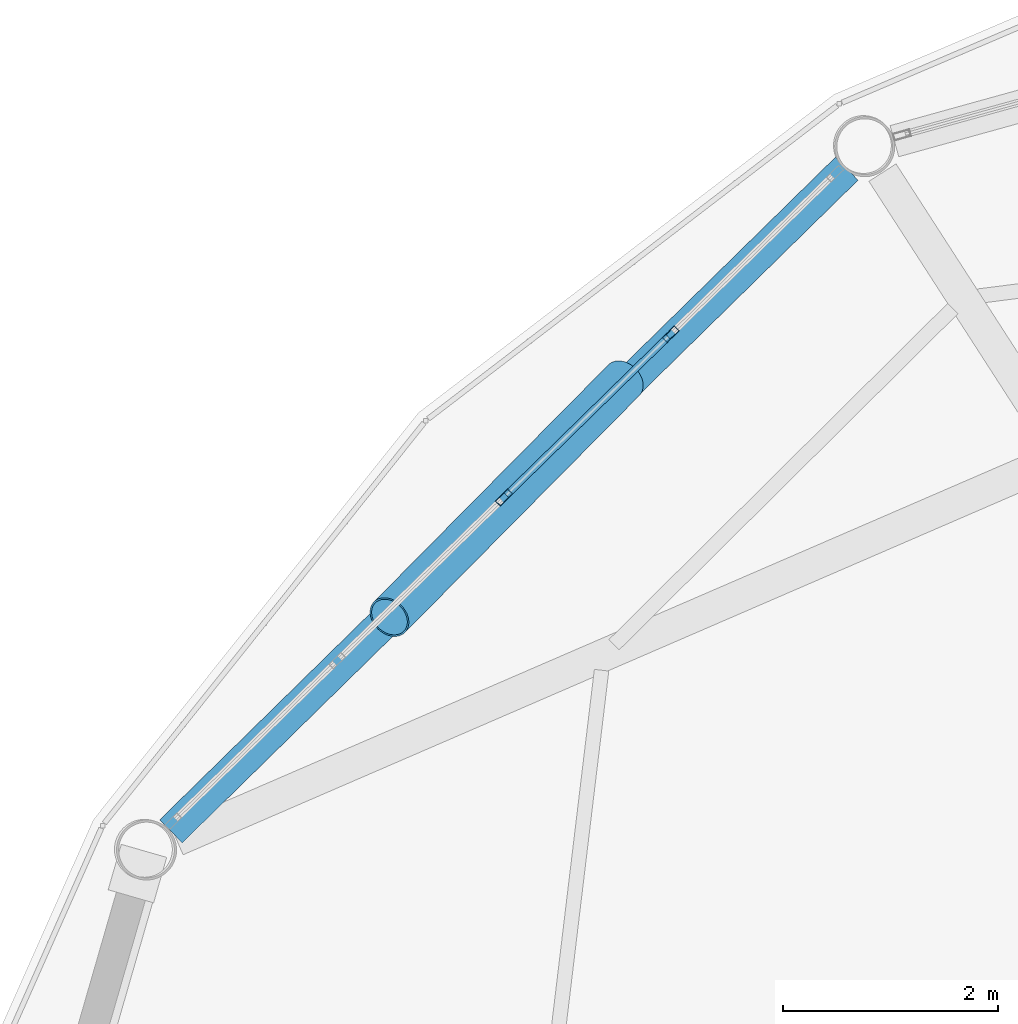
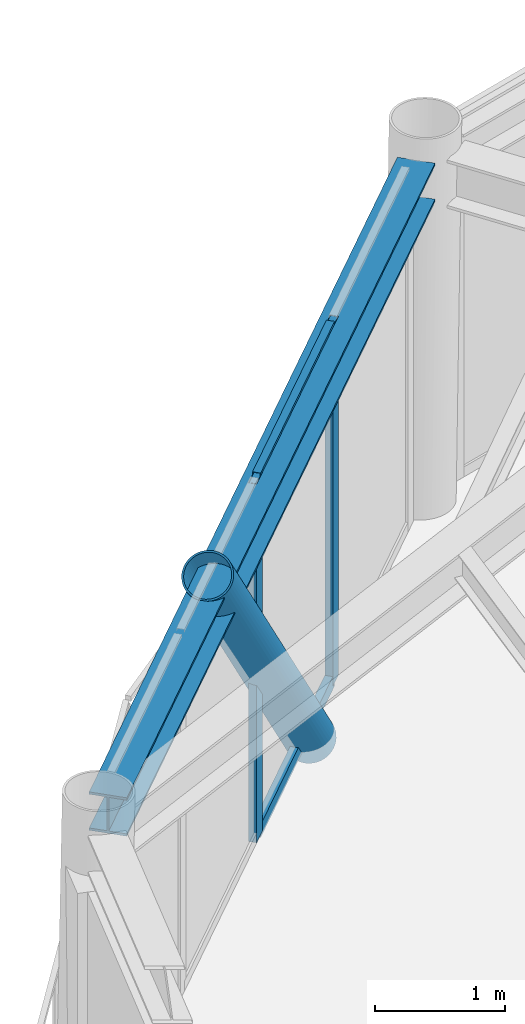
# One storey, part 12 of 25: 5 members, 1 beam, 1 element without a shape of its own.
"""IFC4 building model written with IfcOpenShell, lengths in metres."""

from ifc_helpers import new_model, si_unit, direction, frame, origin, origin_2d, place, context, subcontext, project, spatial, hollow_rectangle, hollow_circle, i_section, extrude, material, layer, layer_set, material_profile, profile_set, type_object, element, aggregate, save


model = new_model("IFC4")

# Units and contexts
model_context = context("Model", 3, precision=1e-05, world=origin(), true_north=direction((0.0, 1.0)))
body_context = subcontext(model_context, "Body", "Model", "MODEL_VIEW")
ifc_project = project(units=[si_unit("LENGTHUNIT", "METRE"), si_unit("AREAUNIT", "SQUARE_METRE"), si_unit("VOLUMEUNIT", "CUBIC_METRE"), si_unit("PLANEANGLEUNIT", "RADIAN"), si_unit("MASSUNIT", "GRAM", prefix="KILO")], contexts=[model_context])

# Site, building, storey
site_placement = place(None, origin())
site = spatial("IfcSite", under=ifc_project, at=site_placement, CompositionType="ELEMENT")
building_placement = place(site_placement, origin())
building = spatial("IfcBuilding", under=site, at=building_placement, Name="Varnakorn Sky Granary", CompositionType="ELEMENT")
storey_placement = place(building_placement, frame((0.0, 0.0, 252.60009765625)))
storey = spatial("IfcBuildingStorey", under=building, at=storey_placement, Name="L64", CompositionType="ELEMENT", Elevation=252.60009765625)

# Beam
ifc_material_1 = material(Name="Steel S355JR", Category="steel")
ifc_material_profile_1 = material_profile(ifc_material_1, i_section(OverallWidth=0.300048828125, OverallDepth=0.360107421875, WebThickness=0.012451171875, FlangeThickness=0.0224609375, at=origin_2d()), Name="HE 360 B")
ifc_profile_set_1 = profile_set([ifc_material_profile_1], Name="Steel S355JR")
beam_type = type_object("IfcBeamType", Name="BM-SPD-Z5", PredefinedType="SPANDREL", material=ifc_profile_set_1)
beam_placement = place(storey_placement, frame((-4.451416015625, 15.290771484375, 3.179931640625), z_axis=(-0.714011744048, -0.700133722486, 0.0), x_axis=(0.700133722486, -0.714011744048, 0.0)))
element("IfcBeam", 1, at=beam_placement, inside=storey, type_object=beam_type, Name="Perimeter Spandrel Ring Beam RB05 L64", PredefinedType="SPANDREL", context=body_context, shape_type="SweptSolid", body=[
    extrude(i_section(OverallWidth=0.300048828125, OverallDepth=0.360107421875, WebThickness=0.012451171875, FlangeThickness=0.0224609375, at=origin_2d()), origin(), (0.0, 0.0, 1.0), 8.8134765625),
])

# Curtain wall, members
ifc_material_2 = material(Name="Anodised Bronze Aluminium Alloy 6063-T6", Category="aluminium")
ifc_layer = layer(ifc_material_2, 0.159912109375, Name="Anodised Bronze Aluminium Alloy 6063-T6")
ifc_layer_set = layer_set([ifc_layer], Name="Anodised Bronze Aluminium Alloy 6063-T6")
curtain_wall_type = type_object("IfcCurtainWallType", Name="CW-OFF-1", PredefinedType="USERDEFINED", material=ifc_layer_set)
curtain_wall_placement = place(storey_placement, origin())
curtain_wall = element("IfcCurtainWall", 2, at=curtain_wall_placement, inside=storey, type_object=curtain_wall_type, Name="Unitised Curtain Wall CW6 CW-L64-B05", ObjectType="CURTAIN WALL", PredefinedType="USERDEFINED")
ifc_material_profile_2 = material_profile(ifc_material_2, hollow_rectangle(XDim=0.06494140625, YDim=0.159912109375, WallThickness=0.00341796875, at=origin_2d()), Name="ALU MULL 65x160")
ifc_profile_set_2 = profile_set([ifc_material_profile_2], Name="Anodised Bronze Aluminium Alloy 6063-T6")
member_type_1 = type_object("IfcMemberType", Name="CW-OFF-1-MULL", PredefinedType="MULLION", material=ifc_profile_set_2)
member_1_placement = place(storey_placement, frame((-7.6435546875, 12.228759765625, 0.0), z_axis=(0.0, 0.0, 1.0), x_axis=(-0.699482431072, 0.71464979439, 0.0)))
member_1 = element("IfcMember", 3, at=member_1_placement, type_object=member_type_1, Name="CW6 mullion 3", PredefinedType="MULLION", context=body_context, shape_type="SweptSolid", body=[
    extrude(hollow_rectangle(XDim=0.06494140625, YDim=0.159912109375, WallThickness=0.00341796875, at=origin_2d()), origin(), (0.0, 0.0, 1.0), 3.35986328125),
])
member_2_placement = place(storey_placement, frame((-6.091064453125, 13.748291015625, 0.0), z_axis=(0.0, 0.0, 1.0), x_axis=(-0.699482431072, 0.71464979439, 0.0)))
member_2 = element("IfcMember", 4, at=member_2_placement, type_object=member_type_1, Name="CW6 mullion 4", PredefinedType="MULLION", context=body_context, shape_type="SweptSolid", body=[
    extrude(hollow_rectangle(XDim=0.06494140625, YDim=0.159912109375, WallThickness=0.00341796875, at=origin_2d()), origin(), (0.0, 0.0, 1.0), 3.35986328125),
])
ifc_material_profile_3 = material_profile(ifc_material_2, hollow_rectangle(XDim=0.06494140625, YDim=0.1201171875, WallThickness=0.00341796875, at=origin_2d()), Name="ALU TRAN 65x120")
ifc_profile_set_3 = profile_set([ifc_material_profile_3], Name="Anodised Bronze Aluminium Alloy 6063-T6")
member_type_2 = type_object("IfcMemberType", Name="CW-OFF-1-TRAN", PredefinedType="USERDEFINED", material=ifc_profile_set_3)
member_3_placement = place(storey_placement, frame((-7.620361328125, 12.25146484375, 0.032470703125), z_axis=(0.714653980402, 0.699478154266, 0.0), x_axis=(-0.699478154266, 0.714653980402, 0.0)))
member_3 = element("IfcMember", 5, at=member_3_placement, type_object=member_type_2, Name="CW6 transom 3.1", ObjectType="TRANSOM", PredefinedType="USERDEFINED", context=body_context, shape_type="SweptSolid", body=[
    extrude(hollow_rectangle(XDim=0.06494140625, YDim=0.1201171875, WallThickness=0.00341796875, at=origin_2d()), origin(), (0.0, 0.0, 1.0), 2.107421875),
])
member_4_placement = place(storey_placement, frame((-7.620361328125, 12.25146484375, 3.327392578125), z_axis=(0.714653980402, 0.699478154266, 0.0), x_axis=(-0.699478154266, 0.714653980402, 0.0)))
member_4 = element("IfcMember", 6, at=member_4_placement, type_object=member_type_2, Name="CW6 transom 3.2", ObjectType="TRANSOM", PredefinedType="USERDEFINED", context=body_context, shape_type="SweptSolid", body=[
    extrude(hollow_rectangle(XDim=0.06494140625, YDim=0.1201171875, WallThickness=0.00341796875, at=origin_2d()), origin(), (0.0, 0.0, 1.0), 2.107421875),
])
aggregate(curtain_wall, [member_1, member_2, member_3, member_4])

# Member
ifc_material_3 = material(Name="Steel S460M", Category="steel")
ifc_material_profile_4 = material_profile(ifc_material_3, hollow_circle(Radius=0.203125, WallThickness=0.01611328125, at=origin_2d()), Name="CHS 406.4x16")
ifc_profile_set_4 = profile_set([ifc_material_profile_4], Name="Steel S460M")
member_type_3 = type_object("IfcMemberType", Name="MB-DIAG-T4", PredefinedType="BRACE", material=ifc_profile_set_4)
member_5_placement = place(storey_placement, frame((-6.52783203125, 13.32080078125, -0.130126953125), z_axis=(-0.457644597658, -0.462611759566, 0.75931006983), x_axis=(0.710913094372, -0.703279867656, 0.0)))
element("IfcMember", 7, at=member_5_placement, inside=storey, type_object=member_type_3, Name="Perimeter CHS Diagrid Brace DG05 L64", PredefinedType="BRACE", context=body_context, shape_type="SweptSolid", body=[
    extrude(hollow_circle(Radius=0.203125, WallThickness=0.01611328125, at=origin_2d()), origin(), (0.0, 0.0, 1.0), 4.767578125),
])

save(model, "model.ifc")
